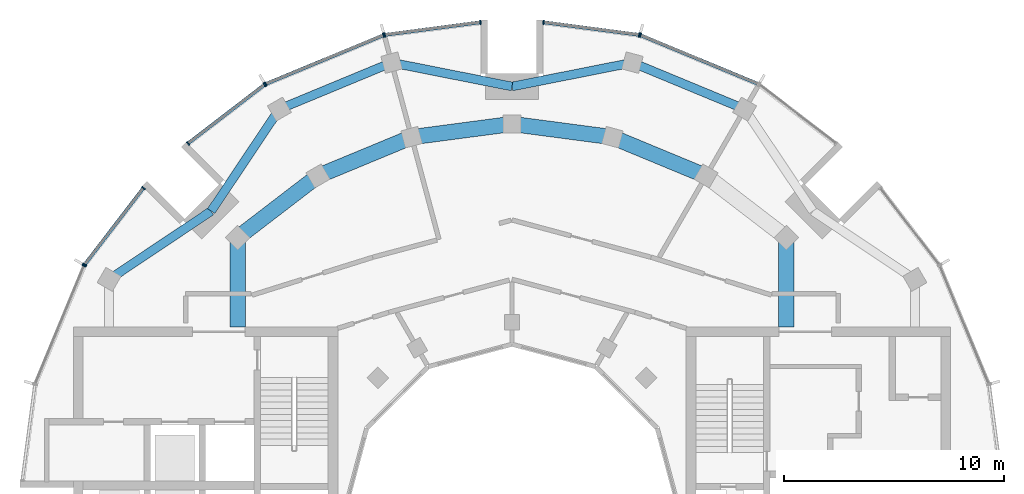
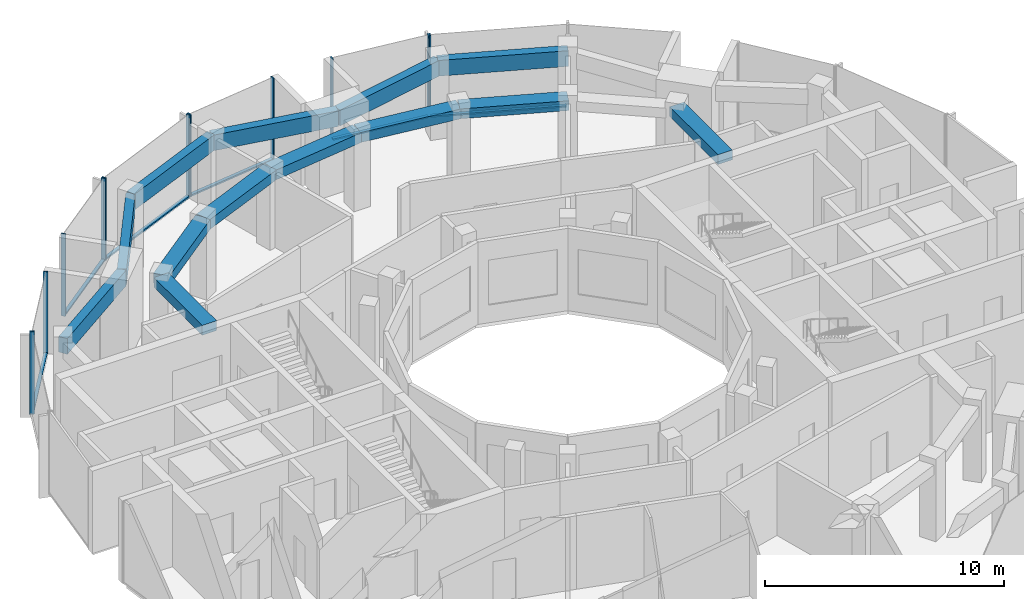
# One storey, part 5 of 13: 18 members, 13 beams, 7 elements without a shape of their own.
"""IFC4 building model written with IfcOpenShell, lengths in metres."""

from ifc_helpers import new_model, si_unit, direction, frame, origin, origin_2d, place, context, subcontext, project, spatial, rectangle, extrude, material, layer, layer_set, material_profile, profile_set, type_object, element, aggregate, save


model = new_model("IFC4")

# Units and contexts
model_context = context("Model", 3, precision=1e-05, world=origin(), true_north=direction((0.0, 1.0)))
body_context = subcontext(model_context, "Body", "Model", "MODEL_VIEW")
ifc_project = project(units=[si_unit("LENGTHUNIT", "METRE"), si_unit("AREAUNIT", "SQUARE_METRE"), si_unit("VOLUMEUNIT", "CUBIC_METRE"), si_unit("PLANEANGLEUNIT", "RADIAN"), si_unit("MASSUNIT", "GRAM", prefix="KILO")], contexts=[model_context])

# Site, building, storey
site_placement = place(None, origin())
site = spatial("IfcSite", under=ifc_project, at=site_placement, CompositionType="ELEMENT")
building_placement = place(site_placement, origin())
building = spatial("IfcBuilding", under=site, at=building_placement, Name="Torre Brocal", CompositionType="ELEMENT")
storey_placement = place(building_placement, frame((0.0, 0.0, 300.89990234375)))
storey = spatial("IfcBuildingStorey", under=building, at=storey_placement, Name="L69", CompositionType="ELEMENT", Elevation=300.89990234375)

# Curtain wall, member
ifc_material_1 = material(Name="Aluminium and glass", Category="aluminium")
ifc_layer = layer(ifc_material_1, 0.199951171875)
ifc_layer_set = layer_set([ifc_layer], Name="Aluminium and glass")
curtain_wall_type = type_object("IfcCurtainWallType", Name="CW-1 CURTAIN WALL 4200 HIGH", PredefinedType="NOTDEFINED", material=ifc_layer_set)
curtain_wall_1_placement = place(storey_placement, origin())
curtain_wall_1 = element("IfcCurtainWall", 1, at=curtain_wall_1_placement, inside=storey, type_object=curtain_wall_type, Name="CW-1 RUN 5", PredefinedType="NOTDEFINED")
ifc_material_2 = material(Name="Aluminium, dark anodised", Category="aluminium")
ifc_material_profile_1 = material_profile(ifc_material_2, rectangle(XDim=0.199951171875, YDim=0.06005859375, at=origin_2d()), Name="CW-1 MULLION 60X200")
ifc_profile_set_1 = profile_set([ifc_material_profile_1], Name="Aluminium, dark anodised")
member_type_1 = type_object("IfcMemberType", Name="CW-1 MULLION 60X200", PredefinedType="MULLION", material=ifc_profile_set_1)
member_1_placement = place(storey_placement, frame((85.824951171875, 96.62451171875, 0.0), z_axis=(0.0, 0.0, 1.0), x_axis=(-0.382683432284, -0.923879532545, 0.0)))
member_1 = element("IfcMember", 2, at=member_1_placement, type_object=member_type_1, Name="CW1-5 mullion 2", PredefinedType="MULLION", context=body_context, shape_type="SweptSolid", body=[
    extrude(rectangle(XDim=0.199951171875, YDim=0.06005859375, at=origin_2d()), origin(), (0.0, 0.0, 1.0), 4.2001953125),
])

# Curtain wall, members
curtain_wall_2_placement = place(storey_placement, origin())
curtain_wall_2 = element("IfcCurtainWall", 3, at=curtain_wall_2_placement, inside=storey, type_object=curtain_wall_type, Name="CW-1 RUN 6", PredefinedType="NOTDEFINED")
member_2_placement = place(storey_placement, frame((85.767578125, 96.639892578125, 0.0), z_axis=(0.0, 0.0, 1.0), x_axis=(-0.13052619222, -0.991444861374, 0.0)))
member_2 = element("IfcMember", 4, at=member_2_placement, type_object=member_type_1, Name="CW1-5 mullion 1", PredefinedType="MULLION", context=body_context, shape_type="SweptSolid", body=[
    extrude(rectangle(XDim=0.199951171875, YDim=0.06005859375, at=origin_2d()), origin(), (0.0, 0.0, 1.0), 4.2001953125),
])
member_3_placement = place(storey_placement, frame((81.4296875, 97.2109375, 0.0), z_axis=(0.0, 0.0, 1.0), x_axis=(-0.13052619222, -0.991444861374, 0.0)))
member_3 = element("IfcMember", 5, at=member_3_placement, type_object=member_type_1, Name="CW1-5 mullion 2", PredefinedType="MULLION", context=body_context, shape_type="SweptSolid", body=[
    extrude(rectangle(XDim=0.199951171875, YDim=0.06005859375, at=origin_2d()), origin(), (0.0, 0.0, 1.0), 4.2001953125),
])

curtain_wall_3_placement = place(storey_placement, origin())
curtain_wall_3 = element("IfcCurtainWall", 6, at=curtain_wall_3_placement, inside=storey, type_object=curtain_wall_type, Name="CW-1 RUN 7", PredefinedType="NOTDEFINED")
member_4_placement = place(storey_placement, frame((78.5703125, 97.2109375, 0.0), z_axis=(0.0, 0.0, 1.0), x_axis=(0.13052619222, -0.991444861374, 0.0)))
member_4 = element("IfcMember", 7, at=member_4_placement, type_object=member_type_1, Name="CW1-5 mullion 1", PredefinedType="MULLION", context=body_context, shape_type="SweptSolid", body=[
    extrude(rectangle(XDim=0.199951171875, YDim=0.06005859375, at=origin_2d()), origin(), (0.0, 0.0, 1.0), 4.2001953125),
])
member_5_placement = place(storey_placement, frame((74.232421875, 96.639892578125, 0.0), z_axis=(0.0, 0.0, 1.0), x_axis=(0.13052619222, -0.991444861374, 0.0)))
member_5 = element("IfcMember", 8, at=member_5_placement, type_object=member_type_1, Name="CW1-5 mullion 2", PredefinedType="MULLION", context=body_context, shape_type="SweptSolid", body=[
    extrude(rectangle(XDim=0.199951171875, YDim=0.06005859375, at=origin_2d()), origin(), (0.0, 0.0, 1.0), 4.2001953125),
])

curtain_wall_4_placement = place(storey_placement, origin())
curtain_wall_4 = element("IfcCurtainWall", 9, at=curtain_wall_4_placement, inside=storey, type_object=curtain_wall_type, Name="CW-1 RUN 8", PredefinedType="NOTDEFINED")
member_6_placement = place(storey_placement, frame((74.175048828125, 96.62451171875, 0.0), z_axis=(0.0, 0.0, 1.0), x_axis=(0.382683432284, -0.923879532545, 0.0)))
member_6 = element("IfcMember", 10, at=member_6_placement, type_object=member_type_1, Name="CW1-5 mullion 1", PredefinedType="MULLION", context=body_context, shape_type="SweptSolid", body=[
    extrude(rectangle(XDim=0.199951171875, YDim=0.06005859375, at=origin_2d()), origin(), (0.0, 0.0, 1.0), 4.2001953125),
])
member_7_placement = place(storey_placement, frame((68.828125, 94.40966796875, 0.0), z_axis=(0.0, 0.0, 1.0), x_axis=(0.382683432284, -0.923879532545, 0.0)))
member_7 = element("IfcMember", 11, at=member_7_placement, type_object=member_type_1, Name="CW1-5 mullion 2", PredefinedType="MULLION", context=body_context, shape_type="SweptSolid", body=[
    extrude(rectangle(XDim=0.199951171875, YDim=0.06005859375, at=origin_2d()), origin(), (0.0, 0.0, 1.0), 4.2001953125),
])

curtain_wall_5_placement = place(storey_placement, origin())
curtain_wall_5 = element("IfcCurtainWall", 12, at=curtain_wall_5_placement, inside=storey, type_object=curtain_wall_type, Name="CW-1 RUN 9", PredefinedType="NOTDEFINED")
member_8_placement = place(storey_placement, frame((68.776611328125, 94.3798828125, 0.0), z_axis=(0.0, 0.0, 1.0), x_axis=(0.608761429064, -0.793353340249, 0.0)))
member_8 = element("IfcMember", 13, at=member_8_placement, type_object=member_type_1, Name="CW1-5 mullion 1", PredefinedType="MULLION", context=body_context, shape_type="SweptSolid", body=[
    extrude(rectangle(XDim=0.199951171875, YDim=0.06005859375, at=origin_2d()), origin(), (0.0, 0.0, 1.0), 4.2001953125),
])
member_9_placement = place(storey_placement, frame((65.305419921875, 91.716552734375, 0.0), z_axis=(0.0, 0.0, 1.0), x_axis=(0.608761429064, -0.793353340249, 0.0)))
member_9 = element("IfcMember", 14, at=member_9_placement, type_object=member_type_1, Name="CW1-5 mullion 2", PredefinedType="MULLION", context=body_context, shape_type="SweptSolid", body=[
    extrude(rectangle(XDim=0.199951171875, YDim=0.06005859375, at=origin_2d()), origin(), (0.0, 0.0, 1.0), 4.2001953125),
])

curtain_wall_6_placement = place(storey_placement, origin())
curtain_wall_6 = element("IfcCurtainWall", 15, at=curtain_wall_6_placement, inside=storey, type_object=curtain_wall_type, Name="CW-1 RUN 10", PredefinedType="NOTDEFINED")
member_10_placement = place(storey_placement, frame((63.283447265625, 89.694580078125, 0.0), z_axis=(0.0, 0.0, 1.0), x_axis=(0.793353340249, -0.608761429064, 0.0)))
member_10 = element("IfcMember", 16, at=member_10_placement, type_object=member_type_1, Name="CW1-5 mullion 1", PredefinedType="MULLION", context=body_context, shape_type="SweptSolid", body=[
    extrude(rectangle(XDim=0.199951171875, YDim=0.06005859375, at=origin_2d()), origin(), (0.0, 0.0, 1.0), 4.2001953125),
])
member_11_placement = place(storey_placement, frame((60.6201171875, 86.223388671875, 0.0), z_axis=(0.0, 0.0, 1.0), x_axis=(0.793353340249, -0.608761429064, 0.0)))
member_11 = element("IfcMember", 17, at=member_11_placement, type_object=member_type_1, Name="CW1-5 mullion 2", PredefinedType="MULLION", context=body_context, shape_type="SweptSolid", body=[
    extrude(rectangle(XDim=0.199951171875, YDim=0.06005859375, at=origin_2d()), origin(), (0.0, 0.0, 1.0), 4.2001953125),
])

# Curtain wall, member
curtain_wall_7_placement = place(storey_placement, origin())
curtain_wall_7 = element("IfcCurtainWall", 18, at=curtain_wall_7_placement, inside=storey, type_object=curtain_wall_type, Name="CW-1 RUN 11", PredefinedType="NOTDEFINED")
member_12_placement = place(storey_placement, frame((60.59033203125, 86.171875, 0.0), z_axis=(0.0, 0.0, 1.0), x_axis=(0.923879532545, -0.382683432284, 0.0)))
member_12 = element("IfcMember", 19, at=member_12_placement, type_object=member_type_1, Name="CW1-5 mullion 1", PredefinedType="MULLION", context=body_context, shape_type="SweptSolid", body=[
    extrude(rectangle(XDim=0.199951171875, YDim=0.06005859375, at=origin_2d()), origin(), (0.0, 0.0, 1.0), 4.2001953125),
])
aggregate(curtain_wall_7, [member_12])

# Member
ifc_material_3 = material(Name="Aluminium, dark anodised", Category="aluminium")
ifc_material_profile_2 = material_profile(ifc_material_3, rectangle(XDim=0.159912109375, YDim=0.080078125, at=origin_2d()), Name="CW-1 TRANSOM 160X80")
ifc_profile_set_2 = profile_set([ifc_material_profile_2], Name="Aluminium, dark anodised")
member_type_2 = type_object("IfcMemberType", Name="CW-1 TRANSOM 160X80", PredefinedType="USERDEFINED", material=ifc_profile_set_2)
member_13_placement = place(storey_placement, frame((91.14404296875, 94.421142578125, 0.0400390625), z_axis=(-0.923868236854, 0.382710701355, 0.0), x_axis=(-0.382710701355, -0.923868236854, 0.0)))
member_13 = element("IfcMember", 20, at=member_13_placement, type_object=member_type_2, Name="CW1-5 transom 1.1", ObjectType="TRANSOM", PredefinedType="USERDEFINED", context=body_context, shape_type="SweptSolid", body=[
    extrude(rectangle(XDim=0.159912109375, YDim=0.080078125, at=origin_2d()), origin(), (0.0, 0.0, 1.0), 5.727294921875),
])

aggregate(curtain_wall_1, [member_1, member_13])

member_14_placement = place(storey_placement, frame((85.73779296875, 96.643798828125, 0.0400390625), z_axis=(-0.991445435136, 0.130521833991, 0.0), x_axis=(-0.130521833991, -0.991445435136, 0.0)))
member_14 = element("IfcMember", 21, at=member_14_placement, type_object=member_type_2, Name="CW1-5 transom 1.1", ObjectType="TRANSOM", PredefinedType="USERDEFINED", context=body_context, shape_type="SweptSolid", body=[
    extrude(rectangle(XDim=0.159912109375, YDim=0.080078125, at=origin_2d()), origin(), (0.0, 0.0, 1.0), 4.315185546875),
])

aggregate(curtain_wall_2, [member_2, member_3, member_14])

member_15_placement = place(storey_placement, frame((78.54052734375, 97.20703125, 0.0400390625), z_axis=(-0.991445435136, -0.130521833991, 0.0), x_axis=(0.130521833991, -0.991445435136, 0.0)))
member_15 = element("IfcMember", 22, at=member_15_placement, type_object=member_type_2, Name="CW1-5 transom 1.1", ObjectType="TRANSOM", PredefinedType="USERDEFINED", context=body_context, shape_type="SweptSolid", body=[
    extrude(rectangle(XDim=0.159912109375, YDim=0.080078125, at=origin_2d()), origin(), (0.0, 0.0, 1.0), 4.315185546875),
])

aggregate(curtain_wall_3, [member_4, member_5, member_15])

member_16_placement = place(storey_placement, frame((74.147216796875, 96.613037109375, 0.0400390625), z_axis=(-0.923868236854, -0.382710701355, 0.0), x_axis=(0.382710701355, -0.923868236854, 0.0)))
member_16 = element("IfcMember", 23, at=member_16_placement, type_object=member_type_2, Name="CW1-5 transom 1.1", ObjectType="TRANSOM", PredefinedType="USERDEFINED", context=body_context, shape_type="SweptSolid", body=[
    extrude(rectangle(XDim=0.159912109375, YDim=0.080078125, at=origin_2d()), origin(), (0.0, 0.0, 1.0), 5.727294921875),
])

aggregate(curtain_wall_4, [member_6, member_7, member_16])

member_17_placement = place(storey_placement, frame((68.7529296875, 94.36181640625, 0.0400390625), z_axis=(-0.793332201462, -0.608788976677, 0.0), x_axis=(0.608788976677, -0.793332201462, 0.0)))
member_17 = element("IfcMember", 24, at=member_17_placement, type_object=member_type_2, Name="CW1-5 transom 1.1", ObjectType="TRANSOM", PredefinedType="USERDEFINED", context=body_context, shape_type="SweptSolid", body=[
    extrude(rectangle(XDim=0.159912109375, YDim=0.080078125, at=origin_2d()), origin(), (0.0, 0.0, 1.0), 4.3154296875),
])

aggregate(curtain_wall_5, [member_8, member_9, member_17])

member_18_placement = place(storey_placement, frame((63.265380859375, 89.670654296875, 0.0400390625), z_axis=(-0.608788976677, -0.793332201462, 0.0), x_axis=(0.793332201462, -0.608788976677, 0.0)))
member_18 = element("IfcMember", 25, at=member_18_placement, type_object=member_type_2, Name="CW1-5 transom 1.1", ObjectType="TRANSOM", PredefinedType="USERDEFINED", context=body_context, shape_type="SweptSolid", body=[
    extrude(rectangle(XDim=0.159912109375, YDim=0.080078125, at=origin_2d()), origin(), (0.0, 0.0, 1.0), 4.3154296875),
])

aggregate(curtain_wall_6, [member_10, member_11, member_18])

# Beams
ifc_material_4 = material(Name="Concrete C50", Category="concrete")
ifc_material_profile_3 = material_profile(ifc_material_4, rectangle(XDim=0.699951171875, YDim=0.5, at=origin_2d()), Name="RC 700X500")
ifc_profile_set_3 = profile_set([ifc_material_profile_3], Name="Concrete C50")
beam_type_1 = type_object("IfcBeamType", Name="RC BEAM 700X500 C50 TOP 3880", PredefinedType="BEAM", material=ifc_profile_set_3)
beam_1_placement = place(storey_placement, frame((88.800048828125, 90.241943359375, 3.630126953125), z_axis=(-0.923878240166, 0.382686552348, 0.0), x_axis=(-0.382686552348, -0.923878240166, 0.0)))
element("IfcBeam", 26, at=beam_1_placement, inside=storey, type_object=beam_type_1, Name="Beam BT-37", PredefinedType="BEAM", context=body_context, shape_type="SweptSolid", body=[
    extrude(rectangle(XDim=0.699951171875, YDim=0.5, at=origin_2d()), origin(), (0.0, 0.0, 1.0), 4.5947265625),
])
for number, where, z_axis, x_axis, name in (
    (27, (84.55517578125, 92.000244140625, 3.630126953125), (-0.991440544449, 0.130558978332, 0.0), (-0.130558978332, -0.991440544449, 0.0), "Beam BT-37"),
    (28, (80.0, 92.60009765625, 3.630126953125), (-0.991440544449, -0.130558978332, 0.0), (0.130558978332, -0.991440544449, 0.0), "Beam BT-37"),
):
    element("IfcBeam", number, at=place(storey_placement, frame(where, z_axis=z_axis, x_axis=x_axis)), inside=storey, type_object=beam_type_1, Name=name, PredefinedType="BEAM", context=body_context, shape_type="SweptSolid", body=[
        extrude(rectangle(XDim=0.699951171875, YDim=0.5, at=origin_2d()), origin(), (0.0, 0.0, 1.0), 4.594482421875),
    ])
beam_2_placement = place(storey_placement, frame((75.44482421875, 92.000244140625, 3.630126953125), z_axis=(-0.923878240166, -0.382686552348, 0.0), x_axis=(0.382686552348, -0.923878240166, 0.0)))
element("IfcBeam", 29, at=beam_2_placement, inside=storey, type_object=beam_type_1, Name="Beam BT-37", PredefinedType="BEAM", context=body_context, shape_type="SweptSolid", body=[
    extrude(rectangle(XDim=0.699951171875, YDim=0.5, at=origin_2d()), origin(), (0.0, 0.0, 1.0), 4.5947265625),
])
beam_3_placement = place(storey_placement, frame((71.199951171875, 90.241943359375, 3.630126953125), z_axis=(-0.793358265959, -0.6087550097, 0.0), x_axis=(0.6087550097, -0.793358265959, 0.0)))
element("IfcBeam", 30, at=beam_3_placement, inside=storey, type_object=beam_type_1, Name="Beam BT-37", PredefinedType="BEAM", context=body_context, shape_type="SweptSolid", body=[
    extrude(rectangle(XDim=0.699951171875, YDim=0.5, at=origin_2d()), origin(), (0.0, 0.0, 1.0), 4.594482421875),
])
for number, where, z_axis, x_axis, name in (
    (31, (67.554931640625, 87.445068359375, 3.630126953125), (0.0, -1.0, 0.0), (1.0, 0.0, 0.0), "Beam BT-37"),
    (32, (92.445068359375, 87.445068359375, 3.630126953125), (0.0, -1.0, 0.0), (1.0, 0.0, 0.0), "Beam BT-37"),
):
    element("IfcBeam", number, at=place(storey_placement, frame(where, z_axis=z_axis, x_axis=x_axis)), inside=storey, type_object=beam_type_1, Name=name, PredefinedType="BEAM", context=body_context, shape_type="SweptSolid", body=[
        extrude(rectangle(XDim=0.699951171875, YDim=0.5, at=origin_2d()), origin(), (0.0, 0.0, 1.0), 4.045166015625),
    ])
ifc_material_5 = material(Name="Concrete C50", Category="concrete")
ifc_material_profile_4 = material_profile(ifc_material_5, rectangle(XDim=0.39990234375, YDim=0.800048828125, at=origin_2d()), Name="RC 400X800")
ifc_profile_set_4 = profile_set([ifc_material_profile_4], Name="Concrete C50")
beam_type_2 = type_object("IfcBeamType", Name="RC SPANDREL BEAM 400X800 C50 TOP 3880", PredefinedType="SPANDREL", material=ifc_profile_set_4)
beam_4_placement = place(storey_placement, frame((90.550048828125, 93.273193359375, 3.47998046875), z_axis=(-0.923877456038, 0.382688445377, 0.0), x_axis=(-0.382688445377, -0.923877456038, 0.0)))
element("IfcBeam", 33, at=beam_4_placement, inside=storey, type_object=beam_type_2, Name="Beam BT-47", PredefinedType="SPANDREL", context=body_context, shape_type="SweptSolid", body=[
    extrude(rectangle(XDim=0.39990234375, YDim=0.800048828125, at=origin_2d()), origin(), (0.0, 0.0, 1.0), 5.508056640625),
])
for number, where, z_axis, x_axis, name in (
    (34, (85.461181640625, 95.381103515625, 3.47998046875), (-0.980965024419, -0.194184502129, 0.0), (0.194184502129, -0.980965024419, 0.0), "Beam BT-47"),
    (35, (80.0, 94.300048828125, 3.47998046875), (-0.980965024419, 0.194184502129, 0.0), (-0.194184502129, -0.980965024419, 0.0), "Beam BT-47"),
):
    element("IfcBeam", number, at=place(storey_placement, frame(where, z_axis=z_axis, x_axis=x_axis)), inside=storey, type_object=beam_type_2, Name=name, PredefinedType="SPANDREL", context=body_context, shape_type="SweptSolid", body=[
        extrude(rectangle(XDim=0.39990234375, YDim=0.800048828125, at=origin_2d()), origin(), (0.0, 0.0, 1.0), 5.567138671875),
    ])
beam_5_placement = place(storey_placement, frame((74.538818359375, 95.381103515625, 3.47998046875), z_axis=(-0.923877456038, -0.382688445377, 0.0), x_axis=(0.382688445377, -0.923877456038, 0.0)))
element("IfcBeam", 36, at=beam_5_placement, inside=storey, type_object=beam_type_2, Name="Beam BT-47", PredefinedType="SPANDREL", context=body_context, shape_type="SweptSolid", body=[
    extrude(rectangle(XDim=0.39990234375, YDim=0.800048828125, at=origin_2d()), origin(), (0.0, 0.0, 1.0), 5.508056640625),
])
for number, where, z_axis, x_axis, name in (
    (37, (69.449951171875, 93.273193359375, 3.47998046875), (-0.556338604247, -0.830955689206, 0.0), (0.830955689206, -0.556338604247, 0.0), "Beam BT-47"),
    (38, (66.352783203125, 88.647216796875, 3.47998046875), (-0.830955689206, -0.556338604247, 0.0), (0.556338604247, -0.830955689206, 0.0), "Beam BT-47"),
):
    element("IfcBeam", number, at=place(storey_placement, frame(where, z_axis=z_axis, x_axis=x_axis)), inside=storey, type_object=beam_type_2, Name=name, PredefinedType="SPANDREL", context=body_context, shape_type="SweptSolid", body=[
        extrude(rectangle(XDim=0.39990234375, YDim=0.800048828125, at=origin_2d()), origin(), (0.0, 0.0, 1.0), 5.567138671875),
    ])

save(model, "model.ifc")
